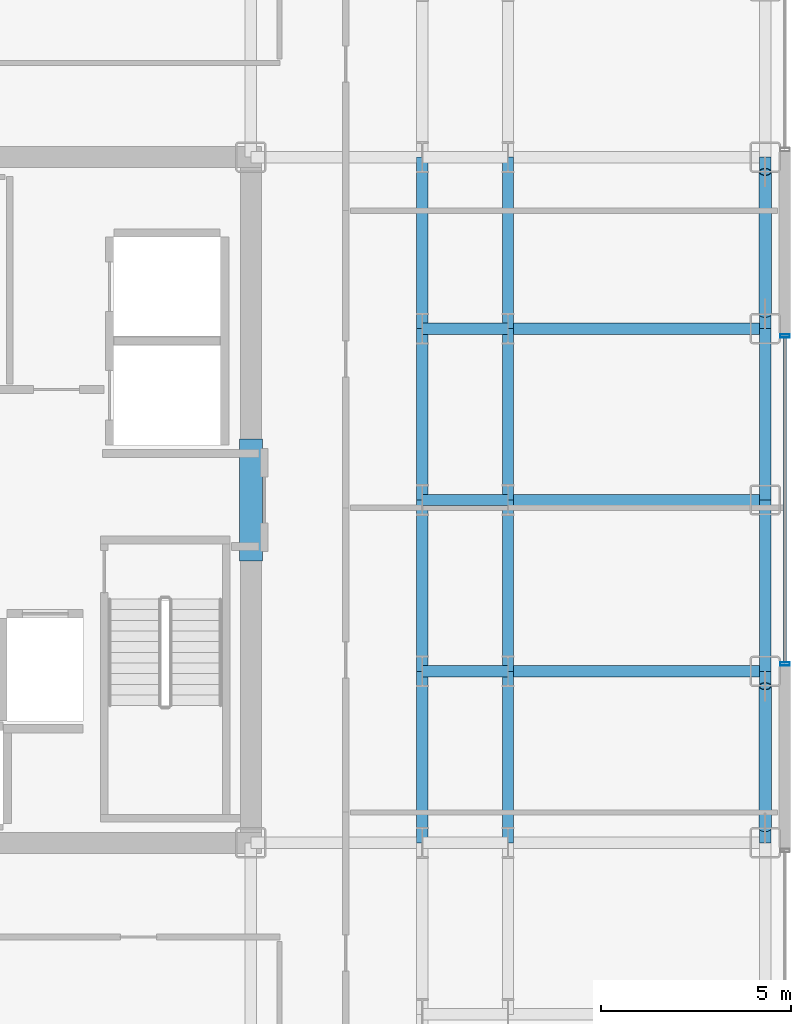
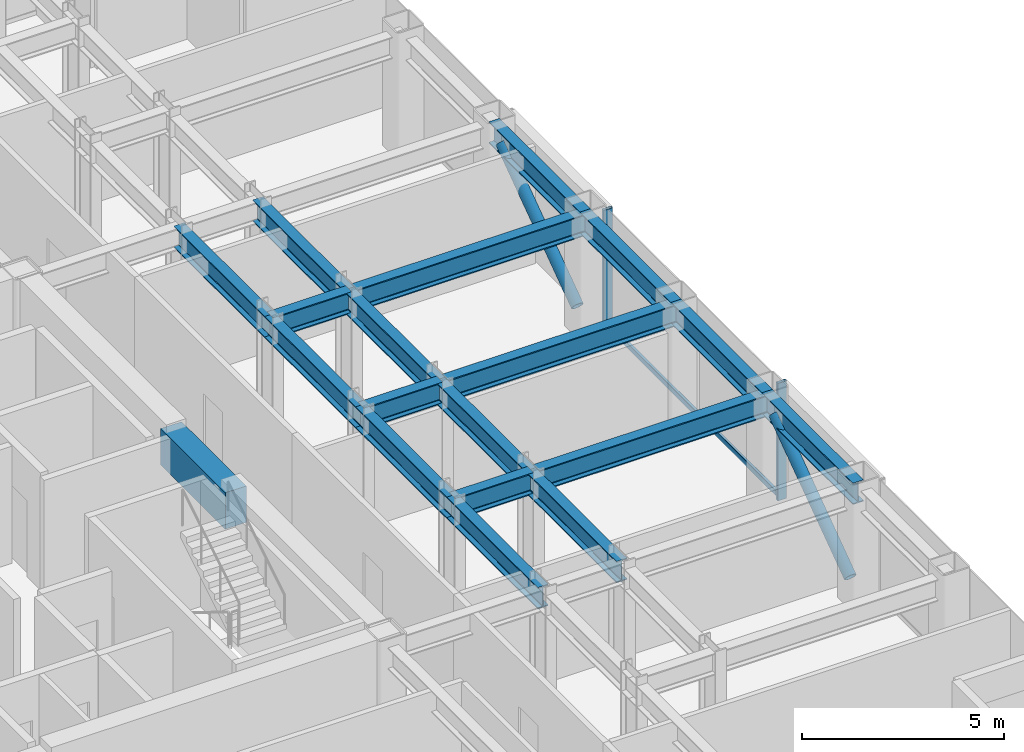
# One storey, part 11 of 25: 19 beams, 5 members, 1 element without a shape of its own.
"""IFC4 building model written with IfcOpenShell, lengths in metres."""

from ifc_helpers import new_model, si_unit, direction, frame, origin, origin_2d, place, context, subcontext, project, spatial, rectangle, hollow_rectangle, hollow_circle, i_section, extrude, source, transform, mapped, material, layer, layer_set, material_profile, profile_set, type_object, element, aggregate, save


model = new_model("IFC4")

# Units and contexts
model_context = context("Model", 3, precision=1e-05, world=origin(), true_north=direction((0.0, 1.0)))
body_context = subcontext(model_context, "Body", "Model", "MODEL_VIEW")
ifc_project = project(units=[si_unit("LENGTHUNIT", "METRE"), si_unit("AREAUNIT", "SQUARE_METRE"), si_unit("VOLUMEUNIT", "CUBIC_METRE"), si_unit("PLANEANGLEUNIT", "RADIAN"), si_unit("MASSUNIT", "GRAM", prefix="KILO")], contexts=[model_context])

# Site, building, storey
site_placement = place(None, origin())
site = spatial("IfcSite", under=ifc_project, at=site_placement, CompositionType="ELEMENT")
building_placement = place(site_placement, origin())
building = spatial("IfcBuilding", under=site, at=building_placement, Name="Nefas-Gora Pilgrimage Tower", CompositionType="ELEMENT")
storey_placement = place(building_placement, frame((0.0, 0.0, 194.39990234375)))
storey = spatial("IfcBuildingStorey", under=building, at=storey_placement, Name="L48", CompositionType="ELEMENT", Elevation=194.39990234375)

# Beams
ifc_material_1 = material(Name="Concrete C60/75", Category="concrete")
ifc_material_profile_1 = material_profile(ifc_material_1, rectangle(XDim=0.60009765625, YDim=1.10009765625, at=origin_2d()), Name="RC 600x1100")
ifc_profile_set_1 = profile_set([ifc_material_profile_1], Name="Concrete C60/75")
beam_type_1 = type_object("IfcBeamType", Name="BM-LIN-RC1100", PredefinedType="LINTEL", material=ifc_profile_set_1)
shared_shape_1 = source(origin(), body_context, "Body", "SweptSolid", [
    extrude(rectangle(XDim=0.60009765625, YDim=1.10009765625, at=origin_2d()), origin(), (0.0, 0.0, 1.0), 3.2001953125),
])
beam_placement = place(storey_placement, frame((11.25, -1.60009765625, 3.0), z_axis=(0.0, 1.0, 0.0), x_axis=(-1.0, 0.0, 0.0)))
element("IfcBeam", 1, at=beam_placement, inside=storey, type_object=beam_type_1, Name="L48 Core Coupling Lintel Beam E", PredefinedType="LINTEL", context=body_context, shape_type="MappedRepresentation", body=[
    mapped(shared_shape_1, transform((0.0, 0.0, 0.0), x_axis=(1.0, 0.0, 0.0), y_axis=(0.0, 1.0, 0.0), z_axis=(0.0, 0.0, 1.0), scale=1.0)),
])
ifc_material_2 = material(Name="Steel S355", Category="steel")
ifc_material_profile_2 = material_profile(ifc_material_2, i_section(OverallWidth=0.300048828125, OverallDepth=0.64990234375, WebThickness=0.01611328125, FlangeThickness=0.031005859375, FilletRadius=0.027099609375, at=origin_2d()), Name="HEB 650")
ifc_profile_set_2 = profile_set([ifc_material_profile_2], Name="Steel S355")
beam_type_2 = type_object("IfcBeamType", Name="BM-SPN-HEB500", PredefinedType="SPANDREL", material=ifc_profile_set_2)
shared_shape_2 = source(origin(), body_context, "Body", "SweptSolid", [
    extrude(i_section(OverallWidth=0.300048828125, OverallDepth=0.64990234375, WebThickness=0.01611328125, FlangeThickness=0.031005859375, FilletRadius=0.027099609375, at=origin_2d()), origin(), (0.0, 0.0, 1.0), 4.5),
])
for number, where, z_axis, x_axis, name in (
    (2, (24.75, -9.0, 3.22509765625), (0.0, 1.0, 0.0), (-1.0, 0.0, 0.0), "L48 SP-02 beam"),
    (3, (24.75, -4.5, 3.22509765625), (0.0, 1.0, 0.0), (-1.0, 0.0, 0.0), "L48 SP-02 beam"),
    (4, (24.75, 0.0, 3.22509765625), (0.0, 1.0, 0.0), (-1.0, 0.0, 0.0), "L48 SP-02 beam"),
    (5, (24.75, 4.5, 3.22509765625), (0.0, 1.0, 0.0), (-1.0, 0.0, 0.0), "L48 SP-02 beam"),
):
    element("IfcBeam", number, at=place(storey_placement, frame(where, z_axis=z_axis, x_axis=x_axis)), inside=storey, type_object=beam_type_2, Name=name, PredefinedType="SPANDREL", context=body_context, shape_type="MappedRepresentation", body=[
        mapped(shared_shape_2, transform((0.0, 0.0, 0.0), x_axis=(1.0, 0.0, 0.0), y_axis=(0.0, 1.0, 0.0), z_axis=(0.0, 0.0, 1.0), scale=1.0)),
    ])
ifc_material_profile_3 = material_profile(ifc_material_2, i_section(OverallWidth=0.300048828125, OverallDepth=0.64990234375, WebThickness=0.01611328125, FlangeThickness=0.031005859375, FilletRadius=0.027099609375, at=origin_2d()), Name="HEB 650")
ifc_profile_set_3 = profile_set([ifc_material_profile_3], Name="Steel S355")
beam_type_3 = type_object("IfcBeamType", Name="BM-GIR-HEB650", PredefinedType="BEAM", material=ifc_profile_set_3)
shared_shape_3 = source(origin(), body_context, "Body", "SweptSolid", [
    extrude(i_section(OverallWidth=0.300048828125, OverallDepth=0.64990234375, WebThickness=0.01611328125, FlangeThickness=0.031005859375, FilletRadius=0.027099609375, at=origin_2d()), origin(), (0.0, 0.0, 1.0), 4.5),
])
for number, where, z_axis, x_axis, name in (
    (6, (15.75, -9.0, 3.22509765625), (0.0, 1.0, 0.0), (-1.0, 0.0, 0.0), "L48 G-03 beam"),
    (7, (15.75, -4.5, 3.22509765625), (0.0, 1.0, 0.0), (-1.0, 0.0, 0.0), "L48 G-03 beam"),
    (8, (15.75, 0.0, 3.22509765625), (0.0, 1.0, 0.0), (-1.0, 0.0, 0.0), "L48 G-03 beam"),
    (9, (15.75, 4.5, 3.22509765625), (0.0, 1.0, 0.0), (-1.0, 0.0, 0.0), "L48 G-03 beam"),
    (10, (18.0, -9.0, 3.22509765625), (0.0, 1.0, 0.0), (-1.0, 0.0, 0.0), "L48 G-03 beam"),
    (11, (18.0, -4.5, 3.22509765625), (0.0, 1.0, 0.0), (-1.0, 0.0, 0.0), "L48 G-03 beam"),
    (12, (18.0, 0.0, 3.22509765625), (0.0, 1.0, 0.0), (-1.0, 0.0, 0.0), "L48 G-03 beam"),
    (13, (18.0, 4.5, 3.22509765625), (0.0, 1.0, 0.0), (-1.0, 0.0, 0.0), "L48 G-03 beam"),
):
    element("IfcBeam", number, at=place(storey_placement, frame(where, z_axis=z_axis, x_axis=x_axis)), inside=storey, type_object=beam_type_3, Name=name, PredefinedType="BEAM", context=body_context, shape_type="MappedRepresentation", body=[
        mapped(shared_shape_3, transform((0.0, 0.0, 0.0), x_axis=(1.0, 0.0, 0.0), y_axis=(0.0, 1.0, 0.0), z_axis=(0.0, 0.0, 1.0), scale=1.0)),
    ])
shared_shape_4 = source(origin(), body_context, "Body", "SweptSolid", [
    extrude(i_section(OverallWidth=0.300048828125, OverallDepth=0.64990234375, WebThickness=0.01611328125, FlangeThickness=0.031005859375, FilletRadius=0.027099609375, at=origin_2d()), origin(), (0.0, 0.0, 1.0), 6.75),
])
for number, where, z_axis, x_axis, name in (
    (14, (18.0, -4.5, 3.22509765625), (1.0, 0.0, 0.0), (0.0, 1.0, 0.0), "L48 G-03 beam"),
    (15, (18.0, 0.0, 3.22509765625), (1.0, 0.0, 0.0), (0.0, 1.0, 0.0), "L48 G-03 beam"),
    (16, (18.0, 4.5, 3.22509765625), (1.0, 0.0, 0.0), (0.0, 1.0, 0.0), "L48 G-03 beam"),
):
    element("IfcBeam", number, at=place(storey_placement, frame(where, z_axis=z_axis, x_axis=x_axis)), inside=storey, type_object=beam_type_3, Name=name, PredefinedType="BEAM", context=body_context, shape_type="MappedRepresentation", body=[
        mapped(shared_shape_4, transform((0.0, 0.0, 0.0), x_axis=(1.0, 0.0, 0.0), y_axis=(0.0, 1.0, 0.0), z_axis=(0.0, 0.0, 1.0), scale=1.0)),
    ])
shared_shape_5 = source(origin(), body_context, "Body", "SweptSolid", [
    extrude(i_section(OverallWidth=0.300048828125, OverallDepth=0.64990234375, WebThickness=0.01611328125, FlangeThickness=0.031005859375, FilletRadius=0.027099609375, at=origin_2d()), origin(), (0.0, 0.0, 1.0), 2.25),
])
for number, where, z_axis, x_axis, name in (
    (17, (15.75, -4.5, 3.22509765625), (1.0, 0.0, 0.0), (0.0, 1.0, 0.0), "L48 G-03 beam"),
    (18, (15.75, 0.0, 3.22509765625), (1.0, 0.0, 0.0), (0.0, 1.0, 0.0), "L48 G-03 beam"),
    (19, (15.75, 4.5, 3.22509765625), (1.0, 0.0, 0.0), (0.0, 1.0, 0.0), "L48 G-03 beam"),
):
    element("IfcBeam", number, at=place(storey_placement, frame(where, z_axis=z_axis, x_axis=x_axis)), inside=storey, type_object=beam_type_3, Name=name, PredefinedType="BEAM", context=body_context, shape_type="MappedRepresentation", body=[
        mapped(shared_shape_5, transform((0.0, 0.0, 0.0), x_axis=(1.0, 0.0, 0.0), y_axis=(0.0, 1.0, 0.0), z_axis=(0.0, 0.0, 1.0), scale=1.0)),
    ])

# Members
ifc_material_profile_4 = material_profile(ifc_material_2, hollow_circle(Radius=0.161865234375, WallThickness=0.02001953125, at=origin_2d()), Name="CHS 323.9x20")
ifc_profile_set_4 = profile_set([ifc_material_profile_4], Name="Steel S355")
member_type_1 = type_object("IfcMemberType", Name="MEM-TUBE-324", PredefinedType="BRACE", material=ifc_profile_set_4)
shared_shape_6 = source(origin(), body_context, "Body", "SweptSolid", [
    extrude(hollow_circle(Radius=0.161865234375, WallThickness=0.02001953125, at=origin_2d()), origin(), (0.0, 0.0, 1.0), 4.579345703125),
])
for number, where, z_axis, x_axis, name in (
    (20, (24.75, -8.612060546875, 0.427734375), (0.0, 0.813246879171, 0.581918820385), (-1.0, 0.0, 0.0), "L48 Perimeter Tube Diagonal Brace E1"),
    (21, (24.75, 4.887939453125, 0.427734375), (0.0, 0.813246879171, 0.581918820385), (-1.0, 0.0, 0.0), "L48 Perimeter Tube Diagonal Brace E2"),
):
    element("IfcMember", number, at=place(storey_placement, frame(where, z_axis=z_axis, x_axis=x_axis)), inside=storey, type_object=member_type_1, Name=name, PredefinedType="BRACE", context=body_context, shape_type="MappedRepresentation", body=[
        mapped(shared_shape_6, transform((0.0, 0.0, 0.0), x_axis=(1.0, 0.0, 0.0), y_axis=(0.0, 1.0, 0.0), z_axis=(0.0, 0.0, 1.0), scale=1.0)),
    ])

# Curtain wall, members
ifc_material_3 = material(Name="Dark ceramic-fritted solar-control aluminium-glass curtain wall", Category="aluminium")
ifc_layer = layer(ifc_material_3, 0.219970703125)
ifc_layer_set = layer_set([ifc_layer], Name="Dark ceramic-fritted solar-control aluminium-glass curtain wall")
curtain_wall_type = type_object("IfcCurtainWallType", Name="CW-SYS-3", PredefinedType="NOTDEFINED", material=ifc_layer_set)
curtain_wall_placement = place(storey_placement, origin())
curtain_wall = element("IfcCurtainWall", 22, at=curtain_wall_placement, inside=storey, type_object=curtain_wall_type, Name="L48 Unitised Curtain Wall CW3", PredefinedType="NOTDEFINED")
ifc_material_4 = material(Name="Anodised architectural aluminium", Category="aluminium")
ifc_material_profile_5 = material_profile(ifc_material_4, hollow_rectangle(XDim=0.090087890625, YDim=0.260009765625, WallThickness=0.006103515625, InnerFilletRadius=0.006103515625, OuterFilletRadius=0.011962890625, at=origin_2d()), Name="ALU MULLION 90x260")
ifc_profile_set_5 = profile_set([ifc_material_profile_5], Name="Anodised architectural aluminium")
member_type_2 = type_object("IfcMemberType", Name="CWM-MUL-3", PredefinedType="MULLION", material=ifc_profile_set_5)
shared_shape_7 = source(origin(), body_context, "Body", "SweptSolid", [
    extrude(hollow_rectangle(XDim=0.090087890625, YDim=0.260009765625, WallThickness=0.006103515625, InnerFilletRadius=0.006103515625, OuterFilletRadius=0.011962890625, at=origin_2d()), origin(), (0.0, 0.0, 1.0), 3.550048828125),
])
member_1_placement = place(storey_placement, frame((25.27001953125, -4.304931640625, 0.0), z_axis=(0.0, 0.0, 1.0), x_axis=(0.0, 1.0, 0.0)))
member_1 = element("IfcMember", 23, at=member_1_placement, type_object=member_type_2, Name="CW3 Mullion 1", PredefinedType="MULLION", context=body_context, shape_type="MappedRepresentation", body=[
    mapped(shared_shape_7, transform((0.0, 0.0, 0.0), x_axis=(1.0, 0.0, 0.0), y_axis=(0.0, 1.0, 0.0), z_axis=(0.0, 0.0, 1.0), scale=1.0)),
])
member_2_placement = place(storey_placement, frame((25.27001953125, 4.304931640625, 0.0), z_axis=(0.0, 0.0, 1.0), x_axis=(0.0, 1.0, 0.0)))
member_2 = element("IfcMember", 24, at=member_2_placement, type_object=member_type_2, Name="CW3 Mullion 2", PredefinedType="MULLION", context=body_context, shape_type="MappedRepresentation", body=[
    mapped(shared_shape_7, transform((0.0, 0.0, 0.0), x_axis=(1.0, 0.0, 0.0), y_axis=(0.0, 1.0, 0.0), z_axis=(0.0, 0.0, 1.0), scale=1.0)),
])
ifc_material_profile_6 = material_profile(ifc_material_4, hollow_rectangle(XDim=0.080078125, YDim=0.159912109375, WallThickness=0.00439453125, InnerFilletRadius=0.00439453125, OuterFilletRadius=0.009033203125, at=origin_2d()), Name="ALU TRANSOM 80x160")
ifc_profile_set_6 = profile_set([ifc_material_profile_6], Name="Anodised architectural aluminium")
member_type_3 = type_object("IfcMemberType", Name="CWM-TRN-3", PredefinedType="USERDEFINED", material=ifc_profile_set_6)
shared_shape_8 = source(origin(), body_context, "Body", "SweptSolid", [
    extrude(hollow_rectangle(XDim=0.080078125, YDim=0.159912109375, WallThickness=0.00439453125, InnerFilletRadius=0.00439453125, OuterFilletRadius=0.009033203125, at=origin_2d()), origin(), (0.0, 0.0, 1.0), 8.52001953125),
])
member_3_placement = place(storey_placement, frame((25.27001953125, -4.260009765625, 0.050048828125), z_axis=(0.0, 1.0, 0.0), x_axis=(-1.0, 0.0, 0.0)))
member_3 = element("IfcMember", 25, at=member_3_placement, type_object=member_type_3, Name="CW3 Spandrel Transom", ObjectType="TRANSOM", PredefinedType="USERDEFINED", context=body_context, shape_type="MappedRepresentation", body=[
    mapped(shared_shape_8, transform((0.0, 0.0, 0.0), x_axis=(1.0, 0.0, 0.0), y_axis=(0.0, 1.0, 0.0), z_axis=(0.0, 0.0, 1.0), scale=1.0)),
])
aggregate(curtain_wall, [member_1, member_2, member_3])

save(model, "model.ifc")
